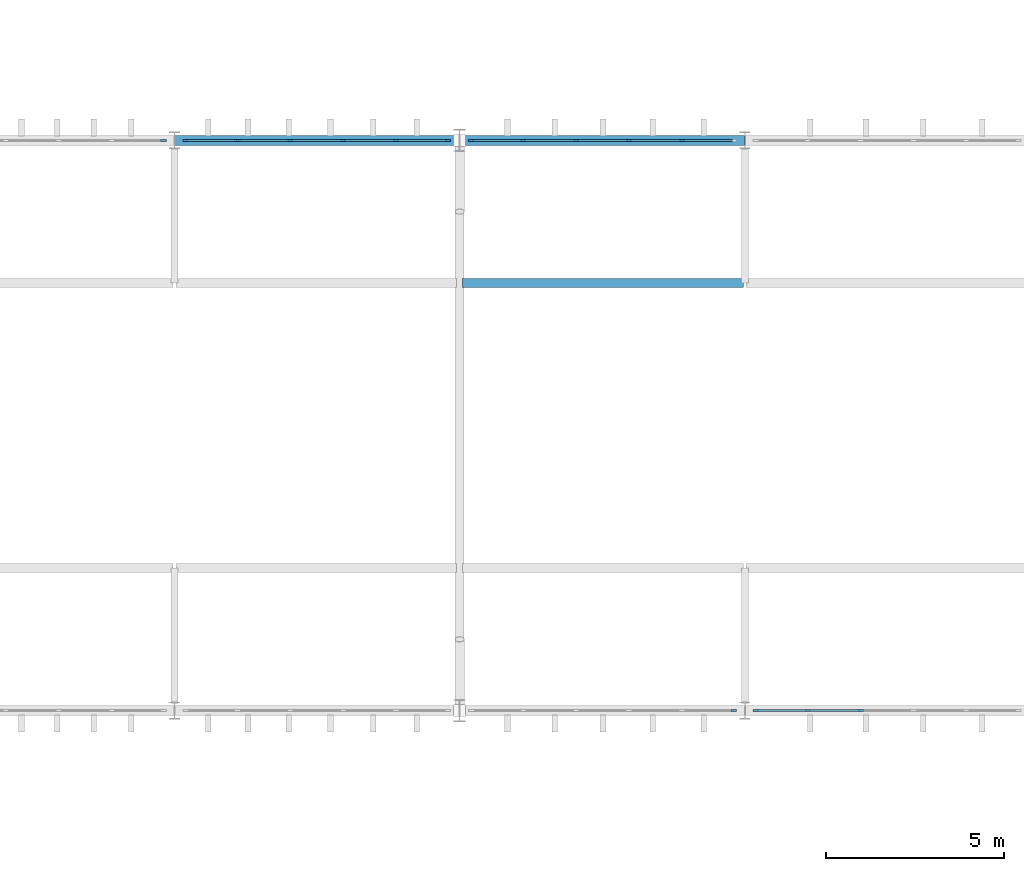
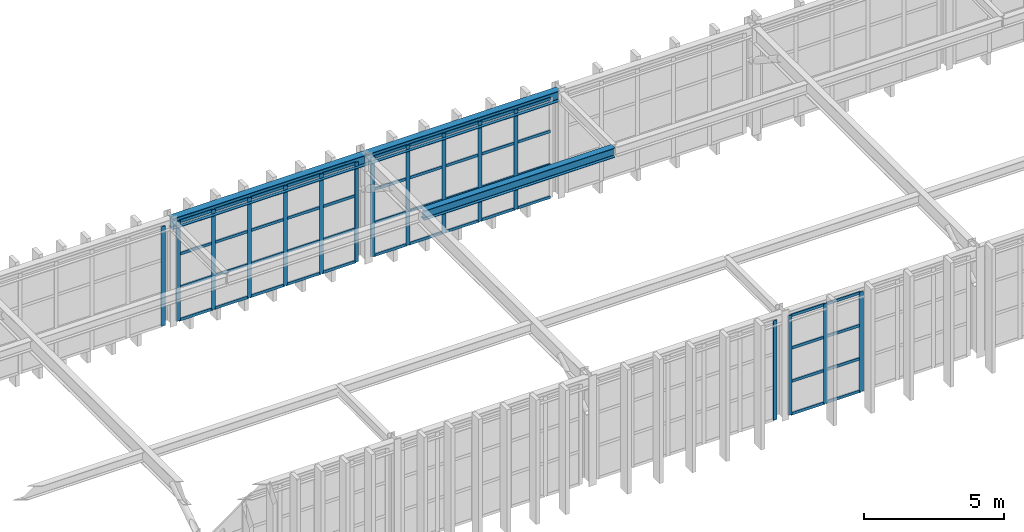
# One storey, part 29 of 61: 64 members, 3 beams, 5 elements without a shape of their own.
"""IFC4 building model written with IfcOpenShell, lengths in metres."""

from ifc_helpers import new_model, si_unit, direction, frame, origin, origin_2d, place, context, subcontext, project, spatial, rectangle, i_section, extrude, material, material_profile, profile_set, type_object, element, aggregate, save


model = new_model("IFC4")

# Units and contexts
model_context = context("Model", 3, precision=1e-05, world=origin(), true_north=direction((0.0, 1.0)))
body_context = subcontext(model_context, "Body", "Model", "MODEL_VIEW")
ifc_project = project(units=[si_unit("LENGTHUNIT", "METRE"), si_unit("AREAUNIT", "SQUARE_METRE"), si_unit("VOLUMEUNIT", "CUBIC_METRE"), si_unit("PLANEANGLEUNIT", "RADIAN"), si_unit("MASSUNIT", "GRAM", prefix="KILO")], contexts=[model_context])

# Site, building, storey
site_placement = place(None, origin())
site = spatial("IfcSite", under=ifc_project, at=site_placement, CompositionType="ELEMENT")
building_placement = place(site_placement, origin())
building = spatial("IfcBuilding", under=site, at=building_placement, Name="Serraluz Foothill Cableway Terminal", CompositionType="ELEMENT")
storey_placement = place(building_placement, frame((0.0, 0.0, 15.0)))
storey = spatial("IfcBuildingStorey", under=building, at=storey_placement, Name="L03", CompositionType="ELEMENT", Elevation=15.0)

# Curtain wall, member
ifc_material_1 = material(Name="Architectural bronze alloy C28000", Category="aluminium")
curtain_wall_type_1 = type_object("IfcCurtainWallType", Name="TYP-CW-920X440", PredefinedType="NOTDEFINED", material=ifc_material_1)
curtain_wall_1_placement = place(storey_placement, origin())
curtain_wall_1 = element("IfcCurtainWall", 1, at=curtain_wall_1_placement, inside=storey, type_object=curtain_wall_type_1, Name="Ribbed Glazed Curtain Wall CW-V1N-L03-104", PredefinedType="NOTDEFINED")
ifc_material_profile_1 = material_profile(ifc_material_1, rectangle(XDim=0.06005859375, YDim=0.159912109375, at=origin_2d()), Name="ALU MULLION 60x160")
ifc_profile_set_1 = profile_set([ifc_material_profile_1], Name="Architectural bronze alloy C28000")
member_type_1 = type_object("IfcMemberType", Name="TYP-CW-MUL-60X160", PredefinedType="MULLION", material=ifc_profile_set_1)
member_1_placement = place(storey_placement, frame((111.6884765625, 72.0, 0.0), z_axis=(0.0, 0.0, 1.0), x_axis=(0.0, 1.0, 0.0)))
member_1 = element("IfcMember", 2, at=member_1_placement, type_object=member_type_1, Name="CW-20 mullion 6", PredefinedType="MULLION", context=body_context, shape_type="SweptSolid", body=[
    extrude(rectangle(XDim=0.06005859375, YDim=0.159912109375, at=origin_2d()), origin(), (0.0, 0.0, 1.0), 4.35009765625),
])
aggregate(curtain_wall_1, [member_1])

# Curtain wall, members
curtain_wall_type_2 = type_object("IfcCurtainWallType", Name="TYP-CW-1120X420", PredefinedType="NOTDEFINED", material=ifc_material_1)
curtain_wall_2_placement = place(storey_placement, origin())
curtain_wall_2 = element("IfcCurtainWall", 3, at=curtain_wall_2_placement, inside=storey, type_object=curtain_wall_type_2, Name="Ribbed Glazed Curtain Wall CW-V1N-L03-112", PredefinedType="NOTDEFINED")
member_2_placement = place(storey_placement, frame((112.3115234375, 72.0, 0.0), z_axis=(0.0, 0.0, 1.0), x_axis=(0.0, 1.0, 0.0)))
member_2 = element("IfcMember", 4, at=member_2_placement, type_object=member_type_1, Name="CW-21 mullion 1", PredefinedType="MULLION", context=body_context, shape_type="SweptSolid", body=[
    extrude(rectangle(XDim=0.06005859375, YDim=0.159912109375, at=origin_2d()), origin(), (0.0, 0.0, 1.0), 4.35009765625),
])
member_3_placement = place(storey_placement, frame((113.7646484375, 72.0, 0.0), z_axis=(0.0, 0.0, 1.0), x_axis=(0.0, 1.0, 0.0)))
member_3 = element("IfcMember", 5, at=member_3_placement, type_object=member_type_1, Name="CW-21 mullion 2", PredefinedType="MULLION", context=body_context, shape_type="SweptSolid", body=[
    extrude(rectangle(XDim=0.06005859375, YDim=0.159912109375, at=origin_2d()), origin(), (0.0, 0.0, 1.0), 4.35009765625),
])
member_4_placement = place(storey_placement, frame((115.247802734375, 72.0, 0.0), z_axis=(0.0, 0.0, 1.0), x_axis=(0.0, 1.0, 0.0)))
member_4 = element("IfcMember", 6, at=member_4_placement, type_object=member_type_1, Name="CW-21 mullion 3", PredefinedType="MULLION", context=body_context, shape_type="SweptSolid", body=[
    extrude(rectangle(XDim=0.06005859375, YDim=0.159912109375, at=origin_2d()), origin(), (0.0, 0.0, 1.0), 4.35009765625),
])
member_5_placement = place(storey_placement, frame((116.731201171875, 72.0, 0.0), z_axis=(0.0, 0.0, 1.0), x_axis=(0.0, 1.0, 0.0)))
member_5 = element("IfcMember", 7, at=member_5_placement, type_object=member_type_1, Name="CW-21 mullion 4", PredefinedType="MULLION", context=body_context, shape_type="SweptSolid", body=[
    extrude(rectangle(XDim=0.06005859375, YDim=0.159912109375, at=origin_2d()), origin(), (0.0, 0.0, 1.0), 4.35009765625),
])
member_6_placement = place(storey_placement, frame((118.21435546875, 72.0, 0.0), z_axis=(0.0, 0.0, 1.0), x_axis=(0.0, 1.0, 0.0)))
member_6 = element("IfcMember", 8, at=member_6_placement, type_object=member_type_1, Name="CW-21 mullion 5", PredefinedType="MULLION", context=body_context, shape_type="SweptSolid", body=[
    extrude(rectangle(XDim=0.06005859375, YDim=0.159912109375, at=origin_2d()), origin(), (0.0, 0.0, 1.0), 4.35009765625),
])
member_7_placement = place(storey_placement, frame((119.66748046875, 72.0, 0.0), z_axis=(0.0, 0.0, 1.0), x_axis=(0.0, 1.0, 0.0)))
member_7 = element("IfcMember", 9, at=member_7_placement, type_object=member_type_1, Name="CW-21 mullion 6", PredefinedType="MULLION", context=body_context, shape_type="SweptSolid", body=[
    extrude(rectangle(XDim=0.06005859375, YDim=0.159912109375, at=origin_2d()), origin(), (0.0, 0.0, 1.0), 4.35009765625),
])

# Curtain wall, member
curtain_wall_type_3 = type_object("IfcCurtainWallType", Name="TYP-CW-360X380", PredefinedType="NOTDEFINED", material=ifc_material_1)
curtain_wall_3_placement = place(storey_placement, origin())
curtain_wall_3 = element("IfcCurtainWall", 10, at=curtain_wall_3_placement, inside=storey, type_object=curtain_wall_type_3, Name="Ribbed Glazed Curtain Wall CW-V1S-L03-120", PredefinedType="NOTDEFINED")
member_8_placement = place(storey_placement, frame((127.6884765625, 56.0, 0.0), z_axis=(0.0, 0.0, 1.0), x_axis=(0.0, -1.0, 0.0)))
member_8 = element("IfcMember", 11, at=member_8_placement, type_object=member_type_1, Name="CW-18 mullion 1", PredefinedType="MULLION", context=body_context, shape_type="SweptSolid", body=[
    extrude(rectangle(XDim=0.06005859375, YDim=0.159912109375, at=origin_2d()), origin(), (0.0, 0.0, 1.0), 4.35009765625),
])
aggregate(curtain_wall_3, [member_8])

# Curtain wall, members
curtain_wall_type_4 = type_object("IfcCurtainWallType", Name="TYP-CW-1280X440", PredefinedType="NOTDEFINED", material=ifc_material_1)
curtain_wall_4_placement = place(storey_placement, origin())
curtain_wall_4 = element("IfcCurtainWall", 12, at=curtain_wall_4_placement, inside=storey, type_object=curtain_wall_type_4, Name="Ribbed Glazed Curtain Wall CW-V1N-L03-120", PredefinedType="NOTDEFINED")
member_9_placement = place(storey_placement, frame((120.33251953125, 72.0, 0.0), z_axis=(0.0, 0.0, 1.0), x_axis=(0.0, 1.0, 0.0)))
member_9 = element("IfcMember", 13, at=member_9_placement, type_object=member_type_1, Name="CW-22 mullion 1", PredefinedType="MULLION", context=body_context, shape_type="SweptSolid", body=[
    extrude(rectangle(XDim=0.06005859375, YDim=0.159912109375, at=origin_2d()), origin(), (0.0, 0.0, 1.0), 4.35009765625),
])
member_10_placement = place(storey_placement, frame((121.78564453125, 72.0, 0.0), z_axis=(0.0, 0.0, 1.0), x_axis=(0.0, 1.0, 0.0)))
member_10 = element("IfcMember", 14, at=member_10_placement, type_object=member_type_1, Name="CW-22 mullion 2", PredefinedType="MULLION", context=body_context, shape_type="SweptSolid", body=[
    extrude(rectangle(XDim=0.06005859375, YDim=0.159912109375, at=origin_2d()), origin(), (0.0, 0.0, 1.0), 4.35009765625),
])
member_11_placement = place(storey_placement, frame((123.268798828125, 72.0, 0.0), z_axis=(0.0, 0.0, 1.0), x_axis=(0.0, 1.0, 0.0)))
member_11 = element("IfcMember", 15, at=member_11_placement, type_object=member_type_1, Name="CW-22 mullion 3", PredefinedType="MULLION", context=body_context, shape_type="SweptSolid", body=[
    extrude(rectangle(XDim=0.06005859375, YDim=0.159912109375, at=origin_2d()), origin(), (0.0, 0.0, 1.0), 4.35009765625),
])
member_12_placement = place(storey_placement, frame((124.752197265625, 72.0, 0.0), z_axis=(0.0, 0.0, 1.0), x_axis=(0.0, 1.0, 0.0)))
member_12 = element("IfcMember", 16, at=member_12_placement, type_object=member_type_1, Name="CW-22 mullion 4", PredefinedType="MULLION", context=body_context, shape_type="SweptSolid", body=[
    extrude(rectangle(XDim=0.06005859375, YDim=0.159912109375, at=origin_2d()), origin(), (0.0, 0.0, 1.0), 4.35009765625),
])
member_13_placement = place(storey_placement, frame((126.2353515625, 72.0, 0.0), z_axis=(0.0, 0.0, 1.0), x_axis=(0.0, 1.0, 0.0)))
member_13 = element("IfcMember", 17, at=member_13_placement, type_object=member_type_1, Name="CW-22 mullion 5", PredefinedType="MULLION", context=body_context, shape_type="SweptSolid", body=[
    extrude(rectangle(XDim=0.06005859375, YDim=0.159912109375, at=origin_2d()), origin(), (0.0, 0.0, 1.0), 4.35009765625),
])

curtain_wall_type_5 = type_object("IfcCurtainWallType", Name="TYP-CW-880X420", PredefinedType="NOTDEFINED", material=ifc_material_1)
curtain_wall_5_placement = place(storey_placement, origin())
curtain_wall_5 = element("IfcCurtainWall", 18, at=curtain_wall_5_placement, inside=storey, type_object=curtain_wall_type_5, Name="Ribbed Glazed Curtain Wall CW-V1S-L03-128", PredefinedType="NOTDEFINED")
member_14_placement = place(storey_placement, frame((131.247802734375, 56.0, 0.0), z_axis=(0.0, 0.0, 1.0), x_axis=(0.0, -1.0, 0.0)))
member_14 = element("IfcMember", 19, at=member_14_placement, type_object=member_type_1, Name="CW-19 mullion 4", PredefinedType="MULLION", context=body_context, shape_type="SweptSolid", body=[
    extrude(rectangle(XDim=0.06005859375, YDim=0.159912109375, at=origin_2d()), origin(), (0.0, 0.0, 1.0), 4.35009765625),
])
member_15_placement = place(storey_placement, frame((129.7646484375, 56.0, 0.0), z_axis=(0.0, 0.0, 1.0), x_axis=(0.0, -1.0, 0.0)))
member_15 = element("IfcMember", 20, at=member_15_placement, type_object=member_type_1, Name="CW-19 mullion 5", PredefinedType="MULLION", context=body_context, shape_type="SweptSolid", body=[
    extrude(rectangle(XDim=0.06005859375, YDim=0.159912109375, at=origin_2d()), origin(), (0.0, 0.0, 1.0), 4.35009765625),
])
member_16_placement = place(storey_placement, frame((128.3115234375, 56.0, 0.0), z_axis=(0.0, 0.0, 1.0), x_axis=(0.0, -1.0, 0.0)))
member_16 = element("IfcMember", 21, at=member_16_placement, type_object=member_type_1, Name="CW-19 mullion 6", PredefinedType="MULLION", context=body_context, shape_type="SweptSolid", body=[
    extrude(rectangle(XDim=0.06005859375, YDim=0.159912109375, at=origin_2d()), origin(), (0.0, 0.0, 1.0), 4.35009765625),
])

# Member
ifc_material_profile_2 = material_profile(ifc_material_1, rectangle(XDim=0.06005859375, YDim=0.1201171875, at=origin_2d()), Name="ALU TRANSOM 60x120")
ifc_profile_set_2 = profile_set([ifc_material_profile_2], Name="Architectural bronze alloy C28000")
member_type_2 = type_object("IfcMemberType", Name="TYP-CW-TRN-60X120", PredefinedType="USERDEFINED", material=ifc_profile_set_2)
member_17_placement = place(storey_placement, frame((112.341552734375, 72.0, 0.030029296875), z_axis=(1.0, 0.0, 0.0), x_axis=(0.0, 1.0, 0.0)))
member_17 = element("IfcMember", 22, at=member_17_placement, type_object=member_type_2, Name="CW-21 transom 1.1", ObjectType="TRANSOM", PredefinedType="USERDEFINED", context=body_context, shape_type="SweptSolid", body=[
    extrude(rectangle(XDim=0.06005859375, YDim=0.1201171875, at=origin_2d()), origin(), (0.0, 0.0, 1.0), 1.39306640625),
])

member_18_placement = place(storey_placement, frame((112.341552734375, 72.0, 1.449951171875), z_axis=(1.0, 0.0, 0.0), x_axis=(0.0, 1.0, 0.0)))
member_18 = element("IfcMember", 23, at=member_18_placement, type_object=member_type_2, Name="CW-21 transom 1.2", ObjectType="TRANSOM", PredefinedType="USERDEFINED", context=body_context, shape_type="SweptSolid", body=[
    extrude(rectangle(XDim=0.06005859375, YDim=0.1201171875, at=origin_2d()), origin(), (0.0, 0.0, 1.0), 1.39306640625),
])

member_19_placement = place(storey_placement, frame((112.341552734375, 72.0, 2.89990234375), z_axis=(1.0, 0.0, 0.0), x_axis=(0.0, 1.0, 0.0)))
member_19 = element("IfcMember", 24, at=member_19_placement, type_object=member_type_2, Name="CW-21 transom 1.3", ObjectType="TRANSOM", PredefinedType="USERDEFINED", context=body_context, shape_type="SweptSolid", body=[
    extrude(rectangle(XDim=0.06005859375, YDim=0.1201171875, at=origin_2d()), origin(), (0.0, 0.0, 1.0), 1.39306640625),
])

member_20_placement = place(storey_placement, frame((112.341552734375, 72.0, 4.320068359375), z_axis=(1.0, 0.0, 0.0), x_axis=(0.0, 1.0, 0.0)))
member_20 = element("IfcMember", 25, at=member_20_placement, type_object=member_type_2, Name="CW-21 transom 1.4", ObjectType="TRANSOM", PredefinedType="USERDEFINED", context=body_context, shape_type="SweptSolid", body=[
    extrude(rectangle(XDim=0.06005859375, YDim=0.1201171875, at=origin_2d()), origin(), (0.0, 0.0, 1.0), 1.39306640625),
])

member_21_placement = place(storey_placement, frame((113.794677734375, 72.0, 0.030029296875), z_axis=(1.0, 0.0, 0.0), x_axis=(0.0, 1.0, 0.0)))
member_21 = element("IfcMember", 26, at=member_21_placement, type_object=member_type_2, Name="CW-21 transom 2.1", ObjectType="TRANSOM", PredefinedType="USERDEFINED", context=body_context, shape_type="SweptSolid", body=[
    extrude(rectangle(XDim=0.06005859375, YDim=0.1201171875, at=origin_2d()), origin(), (0.0, 0.0, 1.0), 1.42333984375),
])

member_22_placement = place(storey_placement, frame((113.794677734375, 72.0, 1.449951171875), z_axis=(1.0, 0.0, 0.0), x_axis=(0.0, 1.0, 0.0)))
member_22 = element("IfcMember", 27, at=member_22_placement, type_object=member_type_2, Name="CW-21 transom 2.2", ObjectType="TRANSOM", PredefinedType="USERDEFINED", context=body_context, shape_type="SweptSolid", body=[
    extrude(rectangle(XDim=0.06005859375, YDim=0.1201171875, at=origin_2d()), origin(), (0.0, 0.0, 1.0), 1.42333984375),
])

member_23_placement = place(storey_placement, frame((113.794677734375, 72.0, 2.89990234375), z_axis=(1.0, 0.0, 0.0), x_axis=(0.0, 1.0, 0.0)))
member_23 = element("IfcMember", 28, at=member_23_placement, type_object=member_type_2, Name="CW-21 transom 2.3", ObjectType="TRANSOM", PredefinedType="USERDEFINED", context=body_context, shape_type="SweptSolid", body=[
    extrude(rectangle(XDim=0.06005859375, YDim=0.1201171875, at=origin_2d()), origin(), (0.0, 0.0, 1.0), 1.42333984375),
])

member_24_placement = place(storey_placement, frame((113.794677734375, 72.0, 4.320068359375), z_axis=(1.0, 0.0, 0.0), x_axis=(0.0, 1.0, 0.0)))
member_24 = element("IfcMember", 29, at=member_24_placement, type_object=member_type_2, Name="CW-21 transom 2.4", ObjectType="TRANSOM", PredefinedType="USERDEFINED", context=body_context, shape_type="SweptSolid", body=[
    extrude(rectangle(XDim=0.06005859375, YDim=0.1201171875, at=origin_2d()), origin(), (0.0, 0.0, 1.0), 1.42333984375),
])

member_25_placement = place(storey_placement, frame((115.27783203125, 72.0, 0.030029296875), z_axis=(1.0, 0.0, 0.0), x_axis=(0.0, 1.0, 0.0)))
member_25 = element("IfcMember", 30, at=member_25_placement, type_object=member_type_2, Name="CW-21 transom 3.1", ObjectType="TRANSOM", PredefinedType="USERDEFINED", context=body_context, shape_type="SweptSolid", body=[
    extrude(rectangle(XDim=0.06005859375, YDim=0.1201171875, at=origin_2d()), origin(), (0.0, 0.0, 1.0), 1.42333984375),
])

member_26_placement = place(storey_placement, frame((115.27783203125, 72.0, 1.449951171875), z_axis=(1.0, 0.0, 0.0), x_axis=(0.0, 1.0, 0.0)))
member_26 = element("IfcMember", 31, at=member_26_placement, type_object=member_type_2, Name="CW-21 transom 3.2", ObjectType="TRANSOM", PredefinedType="USERDEFINED", context=body_context, shape_type="SweptSolid", body=[
    extrude(rectangle(XDim=0.06005859375, YDim=0.1201171875, at=origin_2d()), origin(), (0.0, 0.0, 1.0), 1.42333984375),
])

member_27_placement = place(storey_placement, frame((115.27783203125, 72.0, 2.89990234375), z_axis=(1.0, 0.0, 0.0), x_axis=(0.0, 1.0, 0.0)))
member_27 = element("IfcMember", 32, at=member_27_placement, type_object=member_type_2, Name="CW-21 transom 3.3", ObjectType="TRANSOM", PredefinedType="USERDEFINED", context=body_context, shape_type="SweptSolid", body=[
    extrude(rectangle(XDim=0.06005859375, YDim=0.1201171875, at=origin_2d()), origin(), (0.0, 0.0, 1.0), 1.42333984375),
])

member_28_placement = place(storey_placement, frame((115.27783203125, 72.0, 4.320068359375), z_axis=(1.0, 0.0, 0.0), x_axis=(0.0, 1.0, 0.0)))
member_28 = element("IfcMember", 33, at=member_28_placement, type_object=member_type_2, Name="CW-21 transom 3.4", ObjectType="TRANSOM", PredefinedType="USERDEFINED", context=body_context, shape_type="SweptSolid", body=[
    extrude(rectangle(XDim=0.06005859375, YDim=0.1201171875, at=origin_2d()), origin(), (0.0, 0.0, 1.0), 1.42333984375),
])

member_29_placement = place(storey_placement, frame((116.760986328125, 72.0, 0.030029296875), z_axis=(1.0, 0.0, 0.0), x_axis=(0.0, 1.0, 0.0)))
member_29 = element("IfcMember", 34, at=member_29_placement, type_object=member_type_2, Name="CW-21 transom 4.1", ObjectType="TRANSOM", PredefinedType="USERDEFINED", context=body_context, shape_type="SweptSolid", body=[
    extrude(rectangle(XDim=0.06005859375, YDim=0.1201171875, at=origin_2d()), origin(), (0.0, 0.0, 1.0), 1.42333984375),
])

member_30_placement = place(storey_placement, frame((116.760986328125, 72.0, 1.449951171875), z_axis=(1.0, 0.0, 0.0), x_axis=(0.0, 1.0, 0.0)))
member_30 = element("IfcMember", 35, at=member_30_placement, type_object=member_type_2, Name="CW-21 transom 4.2", ObjectType="TRANSOM", PredefinedType="USERDEFINED", context=body_context, shape_type="SweptSolid", body=[
    extrude(rectangle(XDim=0.06005859375, YDim=0.1201171875, at=origin_2d()), origin(), (0.0, 0.0, 1.0), 1.42333984375),
])

member_31_placement = place(storey_placement, frame((116.760986328125, 72.0, 2.89990234375), z_axis=(1.0, 0.0, 0.0), x_axis=(0.0, 1.0, 0.0)))
member_31 = element("IfcMember", 36, at=member_31_placement, type_object=member_type_2, Name="CW-21 transom 4.3", ObjectType="TRANSOM", PredefinedType="USERDEFINED", context=body_context, shape_type="SweptSolid", body=[
    extrude(rectangle(XDim=0.06005859375, YDim=0.1201171875, at=origin_2d()), origin(), (0.0, 0.0, 1.0), 1.42333984375),
])

member_32_placement = place(storey_placement, frame((116.760986328125, 72.0, 4.320068359375), z_axis=(1.0, 0.0, 0.0), x_axis=(0.0, 1.0, 0.0)))
member_32 = element("IfcMember", 37, at=member_32_placement, type_object=member_type_2, Name="CW-21 transom 4.4", ObjectType="TRANSOM", PredefinedType="USERDEFINED", context=body_context, shape_type="SweptSolid", body=[
    extrude(rectangle(XDim=0.06005859375, YDim=0.1201171875, at=origin_2d()), origin(), (0.0, 0.0, 1.0), 1.42333984375),
])

member_33_placement = place(storey_placement, frame((118.244384765625, 72.0, 0.030029296875), z_axis=(1.0, 0.0, 0.0), x_axis=(0.0, 1.0, 0.0)))
member_33 = element("IfcMember", 38, at=member_33_placement, type_object=member_type_2, Name="CW-21 transom 5.1", ObjectType="TRANSOM", PredefinedType="USERDEFINED", context=body_context, shape_type="SweptSolid", body=[
    extrude(rectangle(XDim=0.06005859375, YDim=0.1201171875, at=origin_2d()), origin(), (0.0, 0.0, 1.0), 1.39306640625),
])

member_34_placement = place(storey_placement, frame((118.244384765625, 72.0, 1.449951171875), z_axis=(1.0, 0.0, 0.0), x_axis=(0.0, 1.0, 0.0)))
member_34 = element("IfcMember", 39, at=member_34_placement, type_object=member_type_2, Name="CW-21 transom 5.2", ObjectType="TRANSOM", PredefinedType="USERDEFINED", context=body_context, shape_type="SweptSolid", body=[
    extrude(rectangle(XDim=0.06005859375, YDim=0.1201171875, at=origin_2d()), origin(), (0.0, 0.0, 1.0), 1.39306640625),
])

member_35_placement = place(storey_placement, frame((118.244384765625, 72.0, 2.89990234375), z_axis=(1.0, 0.0, 0.0), x_axis=(0.0, 1.0, 0.0)))
member_35 = element("IfcMember", 40, at=member_35_placement, type_object=member_type_2, Name="CW-21 transom 5.3", ObjectType="TRANSOM", PredefinedType="USERDEFINED", context=body_context, shape_type="SweptSolid", body=[
    extrude(rectangle(XDim=0.06005859375, YDim=0.1201171875, at=origin_2d()), origin(), (0.0, 0.0, 1.0), 1.39306640625),
])

member_36_placement = place(storey_placement, frame((118.244384765625, 72.0, 4.320068359375), z_axis=(1.0, 0.0, 0.0), x_axis=(0.0, 1.0, 0.0)))
member_36 = element("IfcMember", 41, at=member_36_placement, type_object=member_type_2, Name="CW-21 transom 5.4", ObjectType="TRANSOM", PredefinedType="USERDEFINED", context=body_context, shape_type="SweptSolid", body=[
    extrude(rectangle(XDim=0.06005859375, YDim=0.1201171875, at=origin_2d()), origin(), (0.0, 0.0, 1.0), 1.39306640625),
])

aggregate(curtain_wall_2, [member_2, member_3, member_4, member_5, member_6, member_7, member_17, member_18, member_19, member_20, member_21, member_22, member_23, member_24, member_25, member_26, member_27, member_28, member_29, member_30, member_31, member_32, member_33, member_34, member_35, member_36])

member_37_placement = place(storey_placement, frame((120.362548828125, 72.0, 0.030029296875), z_axis=(1.0, 0.0, 0.0), x_axis=(0.0, 1.0, 0.0)))
member_37 = element("IfcMember", 42, at=member_37_placement, type_object=member_type_2, Name="CW-22 transom 1.1", ObjectType="TRANSOM", PredefinedType="USERDEFINED", context=body_context, shape_type="SweptSolid", body=[
    extrude(rectangle(XDim=0.06005859375, YDim=0.1201171875, at=origin_2d()), origin(), (0.0, 0.0, 1.0), 1.39306640625),
])

member_38_placement = place(storey_placement, frame((120.362548828125, 72.0, 1.449951171875), z_axis=(1.0, 0.0, 0.0), x_axis=(0.0, 1.0, 0.0)))
member_38 = element("IfcMember", 43, at=member_38_placement, type_object=member_type_2, Name="CW-22 transom 1.2", ObjectType="TRANSOM", PredefinedType="USERDEFINED", context=body_context, shape_type="SweptSolid", body=[
    extrude(rectangle(XDim=0.06005859375, YDim=0.1201171875, at=origin_2d()), origin(), (0.0, 0.0, 1.0), 1.39306640625),
])

member_39_placement = place(storey_placement, frame((120.362548828125, 72.0, 2.89990234375), z_axis=(1.0, 0.0, 0.0), x_axis=(0.0, 1.0, 0.0)))
member_39 = element("IfcMember", 44, at=member_39_placement, type_object=member_type_2, Name="CW-22 transom 1.3", ObjectType="TRANSOM", PredefinedType="USERDEFINED", context=body_context, shape_type="SweptSolid", body=[
    extrude(rectangle(XDim=0.06005859375, YDim=0.1201171875, at=origin_2d()), origin(), (0.0, 0.0, 1.0), 1.39306640625),
])

member_40_placement = place(storey_placement, frame((120.362548828125, 72.0, 4.320068359375), z_axis=(1.0, 0.0, 0.0), x_axis=(0.0, 1.0, 0.0)))
member_40 = element("IfcMember", 45, at=member_40_placement, type_object=member_type_2, Name="CW-22 transom 1.4", ObjectType="TRANSOM", PredefinedType="USERDEFINED", context=body_context, shape_type="SweptSolid", body=[
    extrude(rectangle(XDim=0.06005859375, YDim=0.1201171875, at=origin_2d()), origin(), (0.0, 0.0, 1.0), 1.39306640625),
])

member_41_placement = place(storey_placement, frame((121.815673828125, 72.0, 0.030029296875), z_axis=(1.0, 0.0, 0.0), x_axis=(0.0, 1.0, 0.0)))
member_41 = element("IfcMember", 46, at=member_41_placement, type_object=member_type_2, Name="CW-22 transom 2.1", ObjectType="TRANSOM", PredefinedType="USERDEFINED", context=body_context, shape_type="SweptSolid", body=[
    extrude(rectangle(XDim=0.06005859375, YDim=0.1201171875, at=origin_2d()), origin(), (0.0, 0.0, 1.0), 1.42333984375),
])

member_42_placement = place(storey_placement, frame((121.815673828125, 72.0, 1.449951171875), z_axis=(1.0, 0.0, 0.0), x_axis=(0.0, 1.0, 0.0)))
member_42 = element("IfcMember", 47, at=member_42_placement, type_object=member_type_2, Name="CW-22 transom 2.2", ObjectType="TRANSOM", PredefinedType="USERDEFINED", context=body_context, shape_type="SweptSolid", body=[
    extrude(rectangle(XDim=0.06005859375, YDim=0.1201171875, at=origin_2d()), origin(), (0.0, 0.0, 1.0), 1.42333984375),
])

member_43_placement = place(storey_placement, frame((121.815673828125, 72.0, 2.89990234375), z_axis=(1.0, 0.0, 0.0), x_axis=(0.0, 1.0, 0.0)))
member_43 = element("IfcMember", 48, at=member_43_placement, type_object=member_type_2, Name="CW-22 transom 2.3", ObjectType="TRANSOM", PredefinedType="USERDEFINED", context=body_context, shape_type="SweptSolid", body=[
    extrude(rectangle(XDim=0.06005859375, YDim=0.1201171875, at=origin_2d()), origin(), (0.0, 0.0, 1.0), 1.42333984375),
])

member_44_placement = place(storey_placement, frame((121.815673828125, 72.0, 4.320068359375), z_axis=(1.0, 0.0, 0.0), x_axis=(0.0, 1.0, 0.0)))
member_44 = element("IfcMember", 49, at=member_44_placement, type_object=member_type_2, Name="CW-22 transom 2.4", ObjectType="TRANSOM", PredefinedType="USERDEFINED", context=body_context, shape_type="SweptSolid", body=[
    extrude(rectangle(XDim=0.06005859375, YDim=0.1201171875, at=origin_2d()), origin(), (0.0, 0.0, 1.0), 1.42333984375),
])

member_45_placement = place(storey_placement, frame((123.298828125, 72.0, 0.030029296875), z_axis=(1.0, 0.0, 0.0), x_axis=(0.0, 1.0, 0.0)))
member_45 = element("IfcMember", 50, at=member_45_placement, type_object=member_type_2, Name="CW-22 transom 3.1", ObjectType="TRANSOM", PredefinedType="USERDEFINED", context=body_context, shape_type="SweptSolid", body=[
    extrude(rectangle(XDim=0.06005859375, YDim=0.1201171875, at=origin_2d()), origin(), (0.0, 0.0, 1.0), 1.42333984375),
])

member_46_placement = place(storey_placement, frame((123.298828125, 72.0, 1.449951171875), z_axis=(1.0, 0.0, 0.0), x_axis=(0.0, 1.0, 0.0)))
member_46 = element("IfcMember", 51, at=member_46_placement, type_object=member_type_2, Name="CW-22 transom 3.2", ObjectType="TRANSOM", PredefinedType="USERDEFINED", context=body_context, shape_type="SweptSolid", body=[
    extrude(rectangle(XDim=0.06005859375, YDim=0.1201171875, at=origin_2d()), origin(), (0.0, 0.0, 1.0), 1.42333984375),
])

member_47_placement = place(storey_placement, frame((123.298828125, 72.0, 2.89990234375), z_axis=(1.0, 0.0, 0.0), x_axis=(0.0, 1.0, 0.0)))
member_47 = element("IfcMember", 52, at=member_47_placement, type_object=member_type_2, Name="CW-22 transom 3.3", ObjectType="TRANSOM", PredefinedType="USERDEFINED", context=body_context, shape_type="SweptSolid", body=[
    extrude(rectangle(XDim=0.06005859375, YDim=0.1201171875, at=origin_2d()), origin(), (0.0, 0.0, 1.0), 1.42333984375),
])

member_48_placement = place(storey_placement, frame((123.298828125, 72.0, 4.320068359375), z_axis=(1.0, 0.0, 0.0), x_axis=(0.0, 1.0, 0.0)))
member_48 = element("IfcMember", 53, at=member_48_placement, type_object=member_type_2, Name="CW-22 transom 3.4", ObjectType="TRANSOM", PredefinedType="USERDEFINED", context=body_context, shape_type="SweptSolid", body=[
    extrude(rectangle(XDim=0.06005859375, YDim=0.1201171875, at=origin_2d()), origin(), (0.0, 0.0, 1.0), 1.42333984375),
])

member_49_placement = place(storey_placement, frame((124.781982421875, 72.0, 0.030029296875), z_axis=(1.0, 0.0, 0.0), x_axis=(0.0, 1.0, 0.0)))
member_49 = element("IfcMember", 54, at=member_49_placement, type_object=member_type_2, Name="CW-22 transom 4.1", ObjectType="TRANSOM", PredefinedType="USERDEFINED", context=body_context, shape_type="SweptSolid", body=[
    extrude(rectangle(XDim=0.06005859375, YDim=0.1201171875, at=origin_2d()), origin(), (0.0, 0.0, 1.0), 1.42333984375),
])

member_50_placement = place(storey_placement, frame((124.781982421875, 72.0, 1.449951171875), z_axis=(1.0, 0.0, 0.0), x_axis=(0.0, 1.0, 0.0)))
member_50 = element("IfcMember", 55, at=member_50_placement, type_object=member_type_2, Name="CW-22 transom 4.2", ObjectType="TRANSOM", PredefinedType="USERDEFINED", context=body_context, shape_type="SweptSolid", body=[
    extrude(rectangle(XDim=0.06005859375, YDim=0.1201171875, at=origin_2d()), origin(), (0.0, 0.0, 1.0), 1.42333984375),
])

member_51_placement = place(storey_placement, frame((124.781982421875, 72.0, 2.89990234375), z_axis=(1.0, 0.0, 0.0), x_axis=(0.0, 1.0, 0.0)))
member_51 = element("IfcMember", 56, at=member_51_placement, type_object=member_type_2, Name="CW-22 transom 4.3", ObjectType="TRANSOM", PredefinedType="USERDEFINED", context=body_context, shape_type="SweptSolid", body=[
    extrude(rectangle(XDim=0.06005859375, YDim=0.1201171875, at=origin_2d()), origin(), (0.0, 0.0, 1.0), 1.42333984375),
])

member_52_placement = place(storey_placement, frame((124.781982421875, 72.0, 4.320068359375), z_axis=(1.0, 0.0, 0.0), x_axis=(0.0, 1.0, 0.0)))
member_52 = element("IfcMember", 57, at=member_52_placement, type_object=member_type_2, Name="CW-22 transom 4.4", ObjectType="TRANSOM", PredefinedType="USERDEFINED", context=body_context, shape_type="SweptSolid", body=[
    extrude(rectangle(XDim=0.06005859375, YDim=0.1201171875, at=origin_2d()), origin(), (0.0, 0.0, 1.0), 1.42333984375),
])

member_53_placement = place(storey_placement, frame((126.265380859375, 72.0, 0.030029296875), z_axis=(1.0, 0.0, 0.0), x_axis=(0.0, 1.0, 0.0)))
member_53 = element("IfcMember", 58, at=member_53_placement, type_object=member_type_2, Name="CW-22 transom 5.1", ObjectType="TRANSOM", PredefinedType="USERDEFINED", context=body_context, shape_type="SweptSolid", body=[
    extrude(rectangle(XDim=0.06005859375, YDim=0.1201171875, at=origin_2d()), origin(), (0.0, 0.0, 1.0), 1.39306640625),
])

member_54_placement = place(storey_placement, frame((126.265380859375, 72.0, 1.449951171875), z_axis=(1.0, 0.0, 0.0), x_axis=(0.0, 1.0, 0.0)))
member_54 = element("IfcMember", 59, at=member_54_placement, type_object=member_type_2, Name="CW-22 transom 5.2", ObjectType="TRANSOM", PredefinedType="USERDEFINED", context=body_context, shape_type="SweptSolid", body=[
    extrude(rectangle(XDim=0.06005859375, YDim=0.1201171875, at=origin_2d()), origin(), (0.0, 0.0, 1.0), 1.39306640625),
])

member_55_placement = place(storey_placement, frame((126.265380859375, 72.0, 2.89990234375), z_axis=(1.0, 0.0, 0.0), x_axis=(0.0, 1.0, 0.0)))
member_55 = element("IfcMember", 60, at=member_55_placement, type_object=member_type_2, Name="CW-22 transom 5.3", ObjectType="TRANSOM", PredefinedType="USERDEFINED", context=body_context, shape_type="SweptSolid", body=[
    extrude(rectangle(XDim=0.06005859375, YDim=0.1201171875, at=origin_2d()), origin(), (0.0, 0.0, 1.0), 1.39306640625),
])

member_56_placement = place(storey_placement, frame((126.265380859375, 72.0, 4.320068359375), z_axis=(1.0, 0.0, 0.0), x_axis=(0.0, 1.0, 0.0)))
member_56 = element("IfcMember", 61, at=member_56_placement, type_object=member_type_2, Name="CW-22 transom 5.4", ObjectType="TRANSOM", PredefinedType="USERDEFINED", context=body_context, shape_type="SweptSolid", body=[
    extrude(rectangle(XDim=0.06005859375, YDim=0.1201171875, at=origin_2d()), origin(), (0.0, 0.0, 1.0), 1.39306640625),
])

aggregate(curtain_wall_4, [member_9, member_10, member_11, member_12, member_13, member_37, member_38, member_39, member_40, member_41, member_42, member_43, member_44, member_45, member_46, member_47, member_48, member_49, member_50, member_51, member_52, member_53, member_54, member_55, member_56])

member_57_placement = place(storey_placement, frame((131.218017578125, 56.0, 0.030029296875), z_axis=(-1.0, 0.0, 0.0), x_axis=(0.0, -1.0, 0.0)))
member_57 = element("IfcMember", 62, at=member_57_placement, type_object=member_type_2, Name="CW-19 transom 4.1", ObjectType="TRANSOM", PredefinedType="USERDEFINED", context=body_context, shape_type="SweptSolid", body=[
    extrude(rectangle(XDim=0.06005859375, YDim=0.1201171875, at=origin_2d()), origin(), (0.0, 0.0, 1.0), 1.42333984375),
])

member_58_placement = place(storey_placement, frame((131.218017578125, 56.0, 1.449951171875), z_axis=(-1.0, 0.0, 0.0), x_axis=(0.0, -1.0, 0.0)))
member_58 = element("IfcMember", 63, at=member_58_placement, type_object=member_type_2, Name="CW-19 transom 4.2", ObjectType="TRANSOM", PredefinedType="USERDEFINED", context=body_context, shape_type="SweptSolid", body=[
    extrude(rectangle(XDim=0.06005859375, YDim=0.1201171875, at=origin_2d()), origin(), (0.0, 0.0, 1.0), 1.42333984375),
])

member_59_placement = place(storey_placement, frame((131.218017578125, 56.0, 2.89990234375), z_axis=(-1.0, 0.0, 0.0), x_axis=(0.0, -1.0, 0.0)))
member_59 = element("IfcMember", 64, at=member_59_placement, type_object=member_type_2, Name="CW-19 transom 4.3", ObjectType="TRANSOM", PredefinedType="USERDEFINED", context=body_context, shape_type="SweptSolid", body=[
    extrude(rectangle(XDim=0.06005859375, YDim=0.1201171875, at=origin_2d()), origin(), (0.0, 0.0, 1.0), 1.42333984375),
])

member_60_placement = place(storey_placement, frame((131.218017578125, 56.0, 4.320068359375), z_axis=(-1.0, 0.0, 0.0), x_axis=(0.0, -1.0, 0.0)))
member_60 = element("IfcMember", 65, at=member_60_placement, type_object=member_type_2, Name="CW-19 transom 4.4", ObjectType="TRANSOM", PredefinedType="USERDEFINED", context=body_context, shape_type="SweptSolid", body=[
    extrude(rectangle(XDim=0.06005859375, YDim=0.1201171875, at=origin_2d()), origin(), (0.0, 0.0, 1.0), 1.42333984375),
])

member_61_placement = place(storey_placement, frame((129.734619140625, 56.0, 0.030029296875), z_axis=(-1.0, 0.0, 0.0), x_axis=(0.0, -1.0, 0.0)))
member_61 = element("IfcMember", 66, at=member_61_placement, type_object=member_type_2, Name="CW-19 transom 5.1", ObjectType="TRANSOM", PredefinedType="USERDEFINED", context=body_context, shape_type="SweptSolid", body=[
    extrude(rectangle(XDim=0.06005859375, YDim=0.1201171875, at=origin_2d()), origin(), (0.0, 0.0, 1.0), 1.39306640625),
])

member_62_placement = place(storey_placement, frame((129.734619140625, 56.0, 1.449951171875), z_axis=(-1.0, 0.0, 0.0), x_axis=(0.0, -1.0, 0.0)))
member_62 = element("IfcMember", 67, at=member_62_placement, type_object=member_type_2, Name="CW-19 transom 5.2", ObjectType="TRANSOM", PredefinedType="USERDEFINED", context=body_context, shape_type="SweptSolid", body=[
    extrude(rectangle(XDim=0.06005859375, YDim=0.1201171875, at=origin_2d()), origin(), (0.0, 0.0, 1.0), 1.39306640625),
])

member_63_placement = place(storey_placement, frame((129.734619140625, 56.0, 2.89990234375), z_axis=(-1.0, 0.0, 0.0), x_axis=(0.0, -1.0, 0.0)))
member_63 = element("IfcMember", 68, at=member_63_placement, type_object=member_type_2, Name="CW-19 transom 5.3", ObjectType="TRANSOM", PredefinedType="USERDEFINED", context=body_context, shape_type="SweptSolid", body=[
    extrude(rectangle(XDim=0.06005859375, YDim=0.1201171875, at=origin_2d()), origin(), (0.0, 0.0, 1.0), 1.39306640625),
])

member_64_placement = place(storey_placement, frame((129.734619140625, 56.0, 4.320068359375), z_axis=(-1.0, 0.0, 0.0), x_axis=(0.0, -1.0, 0.0)))
member_64 = element("IfcMember", 69, at=member_64_placement, type_object=member_type_2, Name="CW-19 transom 5.4", ObjectType="TRANSOM", PredefinedType="USERDEFINED", context=body_context, shape_type="SweptSolid", body=[
    extrude(rectangle(XDim=0.06005859375, YDim=0.1201171875, at=origin_2d()), origin(), (0.0, 0.0, 1.0), 1.39306640625),
])

aggregate(curtain_wall_5, [member_14, member_15, member_16, member_57, member_58, member_59, member_60, member_61, member_62, member_63, member_64])

# Beams
ifc_material_2 = material(Name="Steel ASTM A992 Grade 50", Category="steel")
ifc_material_profile_3 = material_profile(ifc_material_2, i_section(OverallWidth=0.260009765625, OverallDepth=0.4189453125, WebThickness=0.01171875, FlangeThickness=0.019287109375, FilletRadius=0.013916015625, at=origin_2d()), Name="W16X77")
ifc_profile_set_3 = profile_set([ifc_material_profile_3], Name="Steel ASTM A992 Grade 50")
beam_type_1 = type_object("IfcBeamType", Name="TYP-JS-W16X77", PredefinedType="JOIST", material=ifc_profile_set_3)
beam_placement = place(storey_placement, frame((120.0849609375, 68.0, 4.35009765625), z_axis=(1.0, 0.0, 0.0), x_axis=(0.0, 1.0, 0.0)))
element("IfcBeam", 70, at=beam_placement, inside=storey, type_object=beam_type_1, Name="Eaves Gallery Support Beam 120-68", PredefinedType="JOIST", context=body_context, shape_type="SweptSolid", body=[
    extrude(i_section(OverallWidth=0.260009765625, OverallDepth=0.4189453125, WebThickness=0.01171875, FlangeThickness=0.019287109375, FilletRadius=0.013916015625, at=origin_2d()), origin(), (0.0, 0.0, 1.0), 7.875),
])
ifc_material_profile_4 = material_profile(ifc_material_2, i_section(OverallWidth=0.282958984375, OverallDepth=0.471923828125, WebThickness=0.013671875, FlangeThickness=0.022216796875, FilletRadius=0.014892578125, at=origin_2d()), Name="W18X97")
ifc_profile_set_4 = profile_set([ifc_material_profile_4], Name="Steel ASTM A992 Grade 50")
beam_type_2 = type_object("IfcBeamType", Name="TYP-SP-W18X97", PredefinedType="SPANDREL", material=ifc_profile_set_4)
for number, where, z_axis, x_axis, name in (
    (71, (112.0048828125, 72.0, 4.384033203125), (1.0, 0.0, 0.0), (0.0, 1.0, 0.0), "Primary Girder BM-X-L03-0372"),
    (72, (120.0048828125, 72.0, 4.384033203125), (1.0, 0.0, 0.0), (0.0, 1.0, 0.0), "Primary Girder BM-X-L03-0373"),
):
    element("IfcBeam", number, at=place(storey_placement, frame(where, z_axis=z_axis, x_axis=x_axis)), inside=storey, type_object=beam_type_2, Name=name, PredefinedType="SPANDREL", context=body_context, shape_type="SweptSolid", body=[
        extrude(i_section(OverallWidth=0.282958984375, OverallDepth=0.471923828125, WebThickness=0.013671875, FlangeThickness=0.022216796875, FilletRadius=0.014892578125, at=origin_2d()), origin(), (0.0, 0.0, 1.0), 7.990234375),
    ])

save(model, "model.ifc")
